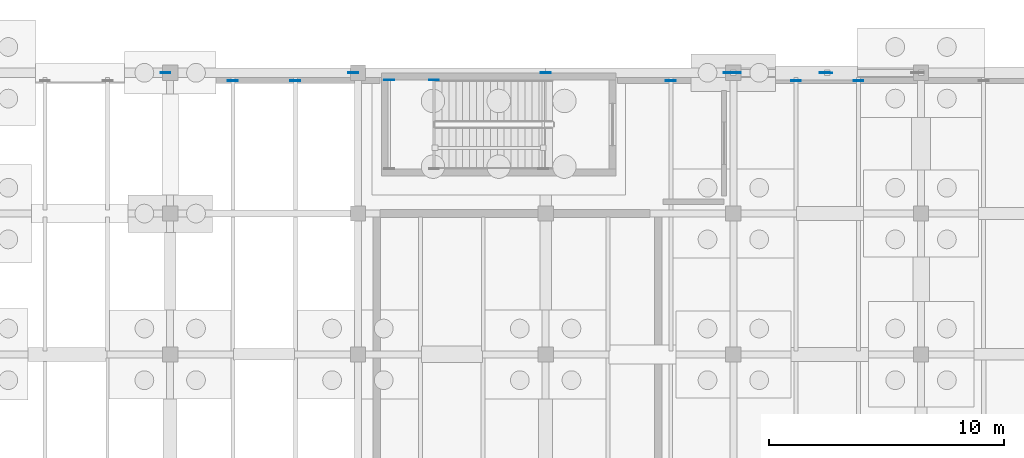
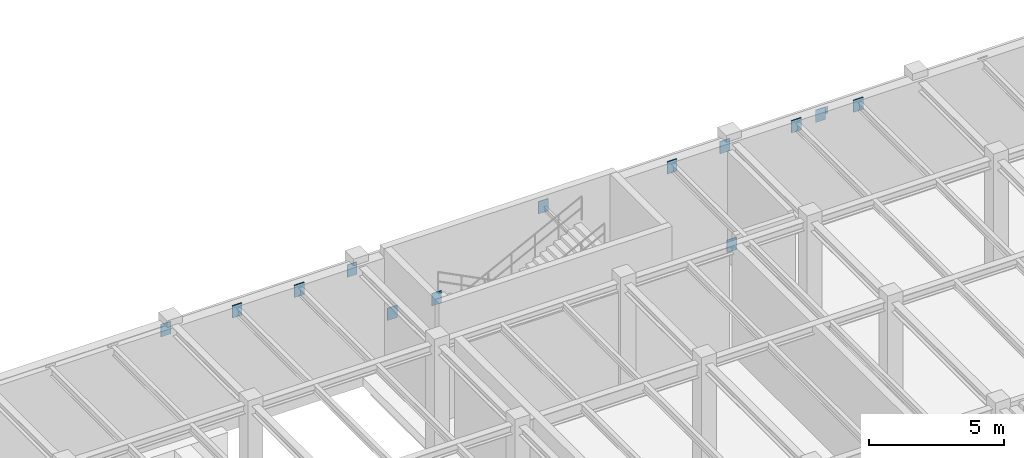
# One storey, part 51 of 71: 14 plates.
"""IFC4 building model written with IfcOpenShell, lengths in metres."""

import ifcopenshell
import ifcopenshell.guid

model = None  # the IFC model being written
_history = None  # IfcOwnerHistory: only IFC2X3 demands one
_inside = {}  # id of a spatial element -> (the spatial element, [elements in it])
_under = {}  # id of a project, library or spatial element -> (it, [spatial elements below it])
_declared = {}  # id of a project -> (the project, [libraries it declares])
_typed = {}  # id of a type object -> (the type object, [elements of that type])
_made_of = {}  # id of a material, layer set ... -> (it, [elements and type objects made of it])


def new_model(schema):
    """Start an empty IFC model of exactly this schema.

    Asked for "IFC4X3", IfcOpenShell would pick the latest addendum, in which some entities
    have other attributes; the version numbers below select the first issue.
    IFC2X3 requires an IfcOwnerHistory on every rooted entity: one is made here for all.
    """
    global model, _history
    if schema == "IFC4X3":
        model = ifcopenshell.file(schema_version=(4, 3, 0, 0))
    else:
        model = ifcopenshell.file(schema=schema)
    _inside.clear()
    _under.clear()
    _declared.clear()
    _typed.clear()
    _made_of.clear()
    _history = None
    if model.schema == "IFC2X3":
        org = make("IfcOrganization", Name="unknown")
        user = make(
            "IfcPersonAndOrganization",
            ThePerson=make("IfcPerson", FamilyName="unknown"),
            TheOrganization=org,
        )
        app = make(
            "IfcApplication",
            ApplicationDeveloper=org,
            Version="unknown",
            ApplicationFullName="unknown",
            ApplicationIdentifier="unknown",
        )
        _history = make(
            "IfcOwnerHistory",
            OwningUser=user,
            OwningApplication=app,
            ChangeAction="ADDED",
            CreationDate=0,
        )
    return model


def make(cls, **values):
    """One entity of the class cls with the attributes given. An attribute that is None is left unset."""
    return model.create_entity(
        cls, **{name: value for name, value in values.items() if value is not None}
    )


def rooted(cls, **values):
    """An entity with a GlobalId (a new one), such as an element, a storey or a relation."""
    return make(cls, GlobalId=ifcopenshell.guid.new(), OwnerHistory=_history, **values)


def si_unit(unit_type, name, prefix=None):
    """IfcSIUnit, for example si_unit("LENGTHUNIT", "METRE", prefix="MILLI")."""
    return make("IfcSIUnit", UnitType=unit_type, Prefix=prefix, Name=name)


def assignment(units):
    """IfcUnitAssignment: the units of a project."""
    return None if units is None else make("IfcUnitAssignment", Units=units)


def point(xyz):
    """IfcCartesianPoint."""
    return None if xyz is None else make("IfcCartesianPoint", Coordinates=xyz)


def direction(xyz):
    """IfcDirection."""
    return None if xyz is None else make("IfcDirection", DirectionRatios=xyz)


def frame(location, z_axis=None, x_axis=None):
    """IfcAxis2Placement3D, a coordinate frame: its origin and axes. An axis left out is left unset."""
    return make(
        "IfcAxis2Placement3D",
        Location=point(location),
        Axis=direction(z_axis),
        RefDirection=direction(x_axis),
    )


def frame_2d(location, x_axis=None):
    """IfcAxis2Placement2D, a coordinate frame in the plane: its origin and x axis."""
    return make(
        "IfcAxis2Placement2D", Location=point(location), RefDirection=direction(x_axis)
    )


def origin():
    """The frame at (0, 0, 0) with its axes left unset."""
    return frame((0.0, 0.0, 0.0))


def origin_2d():
    """The frame at (0, 0) in the plane with its x axis left unset."""
    return frame_2d((0.0, 0.0))


def place(relative_to, where):
    """IfcLocalPlacement: puts the frame where relative to a parent placement (None: the world)."""
    return make(
        "IfcLocalPlacement", PlacementRelTo=relative_to, RelativePlacement=where
    )


def context(
    kind, dimensions, precision=None, world=None, true_north=None, identifier=None
):
    """IfcGeometricRepresentationContext, for example the 3D "Model" context."""
    return make(
        "IfcGeometricRepresentationContext",
        ContextIdentifier=identifier,
        ContextType=kind,
        CoordinateSpaceDimension=dimensions,
        Precision=precision,
        WorldCoordinateSystem=world,
        TrueNorth=true_north,
    )


def subcontext(parent, identifier, kind, view, scale=None):
    """IfcGeometricRepresentationSubContext, for example "Body" below "Model"."""
    return make(
        "IfcGeometricRepresentationSubContext",
        ContextIdentifier=identifier,
        ContextType=kind,
        ParentContext=parent,
        TargetScale=scale,
        TargetView=view,
    )


def project(units=None, contexts=None):
    """IfcProject with its units and contexts."""
    return rooted(
        "IfcProject",
        Name="project",
        RepresentationContexts=contexts,
        UnitsInContext=assignment(units),
    )


def spatial(cls, under=None, at=None, **own):
    """A site, building, storey or space (cls), placed at a placement, below another one or the project."""
    s = rooted(cls, ObjectPlacement=at, **own)
    if under is not None:
        _under.setdefault(under.id(), (under, []))[1].append(s)
    return s


def profile(cls, at=None, kind="AREA", **sizes):
    """A parametric profile (cls). Its sizes go by their IFC names, for example OverallWidth=200.0."""
    return make(cls, ProfileType=kind, Position=at, **sizes)


def rectangle(**sizes):
    """IfcRectangleProfileDef."""
    return profile("IfcRectangleProfileDef", **sizes)


def extrude(swept, where, along, depth):
    """IfcExtrudedAreaSolid: the profile swept, set in the frame where, extruded along a direction by depth."""
    return make(
        "IfcExtrudedAreaSolid",
        SweptArea=swept,
        Position=where,
        ExtrudedDirection=direction(along),
        Depth=depth,
    )


def shape(context_of_items, identifier, shape_type, items):
    """IfcShapeRepresentation: the items that make up one representation, for example the "Body"."""
    return make(
        "IfcShapeRepresentation",
        ContextOfItems=context_of_items,
        RepresentationIdentifier=identifier,
        RepresentationType=shape_type,
        Items=items,
    )


def material(Name=None, Category=None):
    """IfcMaterial."""
    return make("IfcMaterial", Name=Name, Category=Category)


def layer(
    of_material, thickness, ventilated=None, Name=None, Category=None, Priority=None
):
    """IfcMaterialLayer: one layer of a wall or slab, of a material (None: an air gap)."""
    return make(
        "IfcMaterialLayer",
        Material=of_material,
        LayerThickness=thickness,
        IsVentilated=ventilated,
        Name=Name,
        Category=Category,
        Priority=Priority,
    )


def layer_set(layers, Name=None):
    """IfcMaterialLayerSet."""
    return make("IfcMaterialLayerSet", MaterialLayers=layers, LayerSetName=Name)


def made_of(thing, what):
    """Note that an element or type object is made of a material, layer set ...; save() writes the relation."""
    if what is not None:
        _made_of.setdefault(what.id(), (what, []))[1].append(thing)
    return thing


def type_object(cls, material=None, **own):
    """A type object (cls), such as IfcWallType, which elements share."""
    return made_of(rooted(cls, **own), material)


def element(
    cls,
    number,
    at=None,
    inside=None,
    cuts=None,
    type_object=None,
    material=None,
    context=None,
    identifier="Body",
    shape_type=None,
    held_by="IfcProductDefinitionShape",
    body=None,
    shapes=None,
    **own,
):
    """One element of the class cls, such as IfcWall. Its Tag is "e" and its number.

    at: its placement. inside: the storey or other place that contains it. cuts: it is an
    opening in that element (IfcRelVoidsElement). A single representation is given by context,
    identifier, shape_type and body (its items); several are given by shapes. held_by: the class
    of the entity that holds the representations. save() writes the other relations.
    """
    e = rooted(cls, Tag="e%d" % number, ObjectPlacement=at, **own)
    if body is not None:
        shapes = [shape(context, identifier, shape_type, body)]
    if shapes is not None:
        e.Representation = make(held_by, Representations=shapes)
    if inside is not None:
        _inside.setdefault(inside.id(), (inside, []))[1].append(e)
    if cuts is not None:
        rooted(
            "IfcRelVoidsElement", RelatingBuildingElement=cuts, RelatedOpeningElement=e
        )
    if type_object is not None:
        _typed.setdefault(type_object.id(), (type_object, []))[1].append(e)
    return made_of(e, material)


def aggregate(whole, parts):
    """IfcRelAggregates: a whole, such as a stair, and the parts it consists of."""
    return rooted("IfcRelAggregates", RelatingObject=whole, RelatedObjects=parts)


def save(model, path):
    """Write the relations noted so far, then the file.

    IfcRelAggregates (storeys below a building ...), IfcRelContainedInSpatialStructure (elements
    in a storey), IfcRelDefinesByType, IfcRelAssociatesMaterial and IfcRelDeclares: one each for
    every whole, place, type object, material and project.
    """
    for whole, parts in _under.values():
        aggregate(whole, parts)
    for where, things in _inside.values():
        rooted(
            "IfcRelContainedInSpatialStructure",
            RelatedElements=things,
            RelatingStructure=where,
        )
    for kind, things in _typed.values():
        rooted("IfcRelDefinesByType", RelatedObjects=things, RelatingType=kind)
    for what, things in _made_of.values():
        rooted("IfcRelAssociatesMaterial", RelatedObjects=things, RelatingMaterial=what)
    for by, libraries in _declared.values():
        rooted("IfcRelDeclares", RelatingContext=by, RelatedDefinitions=libraries)
    model.write(path)


model = new_model("IFC4")

# Units and contexts
model_context = context("Model", 3, precision=1e-05, world=origin(), true_north=direction((0.0, 1.0)))
body_context = subcontext(model_context, "Body", "Model", "MODEL_VIEW")
ifc_project = project(units=[si_unit("LENGTHUNIT", "METRE"), si_unit("AREAUNIT", "SQUARE_METRE"), si_unit("VOLUMEUNIT", "CUBIC_METRE"), si_unit("PLANEANGLEUNIT", "RADIAN"), si_unit("MASSUNIT", "GRAM", prefix="KILO")], contexts=[model_context])

# Site, building, storey
site_placement = place(None, origin())
site = spatial("IfcSite", under=ifc_project, at=site_placement, CompositionType="ELEMENT")
building_placement = place(site_placement, origin())
building = spatial("IfcBuilding", under=site, at=building_placement, Name="Sundkrona Museum", CompositionType="ELEMENT")
storey_placement = place(building_placement, frame((0.0, 0.0, -5.39990234375)))
storey = spatial("IfcBuildingStorey", under=building, at=storey_placement, Name="B1", CompositionType="ELEMENT", Elevation=-5.39990234375)

# Plates
ifc_material = material(Name="Steel S355J2", Category="steel")
ifc_layer_1 = layer(ifc_material, 0.034912109375)
ifc_layer_set_1 = layer_set([ifc_layer_1], Name="Steel S355J2")
plate_type_1 = type_object("IfcPlateType", Name="EP-1", PredefinedType="USERDEFINED", material=ifc_layer_set_1)
for number, where, z_axis, x_axis, name in (
    (1, (144.0, 114.0, 4.419921875), (0.0, 0.0, 1.0), (1.0, 0.0, 0.0), "Core Wall Cast-In Embed Plate BM-B1-X-0207-2"),
    (2, (137.339599609375, 113.68994140625, 2.099853515625), (0.0, 0.0, 1.0), (1.0, 0.0, 0.0), "Core Wall Cast-In Embed Plate BM-STLD-ST-5-B1-1A-2"),
    (3, (139.245361328125, 113.68994140625, 2.099853515625), (0.0, 0.0, 1.0), (1.0, 0.0, 0.0), "Core Wall Cast-In Embed Plate BM-STLD-ST-5-B1-1B-2"),
    (4, (127.800048828125, 114.0, 4.514892578125), (0.0, 0.0, 1.0), (1.0, 0.0, 0.0), "Structural Wall Cast-In Embed Plate BM-B1-X-0205-2"),
    (5, (135.800048828125, 114.0, 4.419921875), (0.0, 0.0, 1.0), (1.0, 0.0, 0.0), "Structural Wall Cast-In Embed Plate BM-B1-X-0206-2"),
    (6, (151.800048828125, 114.0, 4.419921875), (0.0, 0.0, 1.0), (1.0, 0.0, 0.0), "Structural Wall Cast-In Embed Plate BM-B1-X-0208-2"),
    (7, (130.666748046875, 113.664306640625, 4.56494140625), (0.0, 0.0, 1.0), (1.0, 0.0, 0.0), "Structural Wall Cast-In Embed Plate JS-B1-0206-2"),
    (8, (133.333251953125, 113.664306640625, 4.56494140625), (0.0, 0.0, 1.0), (1.0, 0.0, 0.0), "Structural Wall Cast-In Embed Plate JS-B1-0207-2"),
    (9, (149.333251953125, 113.664306640625, 4.56494140625), (0.0, 0.0, 1.0), (1.0, 0.0, 0.0), "Structural Wall Cast-In Embed Plate JS-B1-0263-2"),
    (10, (154.666748046875, 113.664306640625, 4.56494140625), (0.0, 0.0, 1.0), (1.0, 0.0, 0.0), "Structural Wall Cast-In Embed Plate JS-B1-0288-2"),
    (11, (157.333251953125, 113.664306640625, 4.56494140625), (0.0, 0.0, 1.0), (1.0, 0.0, 0.0), "Structural Wall Cast-In Embed Plate JS-B1-0289-2"),
    (12, (152.10009765625, 114.0, -0.159912109375), (0.0, 0.0, 1.0), (1.0, 0.0, 0.0), "Structural Wall Cast-In Embed Plate BR-B1-029A-1"),
    (13, (155.89990234375, 114.0, 4.40478515625), (0.0, 0.0, 1.0), (1.0, 0.0, 0.0), "Structural Wall Cast-In Embed Plate BR-B1-029A-2"),
):
    element("IfcPlate", number, at=place(storey_placement, frame(where, z_axis=z_axis, x_axis=x_axis)), inside=storey, type_object=plate_type_1, Name=name, ObjectType="GUSSET PLATE", PredefinedType="USERDEFINED", context=body_context, shape_type="SweptSolid", body=[
        extrude(rectangle(XDim=0.419921875, YDim=0.034912109375, at=origin_2d()), origin(), (0.0, 0.0, 1.0), 0.56005859375),
    ])
ifc_layer_2 = layer(ifc_material, 0.02197265625)
ifc_layer_set_2 = layer_set([ifc_layer_2], Name="Steel S355J2")
plate_type_2 = type_object("IfcPlateType", Name="GP-5", PredefinedType="USERDEFINED", material=ifc_layer_set_2)
plate_placement = place(storey_placement, frame((156.0, 114.0, 4.64990234375), z_axis=(0.0, 0.0, 1.0), x_axis=(1.0, 0.0, 0.0)))
element("IfcPlate", 14, at=plate_placement, inside=storey, type_object=plate_type_2, Name="B1 Chevron Apex Gusset Plate 029", ObjectType="GUSSET PLATE", PredefinedType="USERDEFINED", context=body_context, shape_type="SweptSolid", body=[
    extrude(rectangle(XDim=0.43994140625, YDim=0.02197265625, at=origin_2d()), origin(), (0.0, 0.0, 1.0), 0.31005859375),
])

save(model, "model.ifc")
